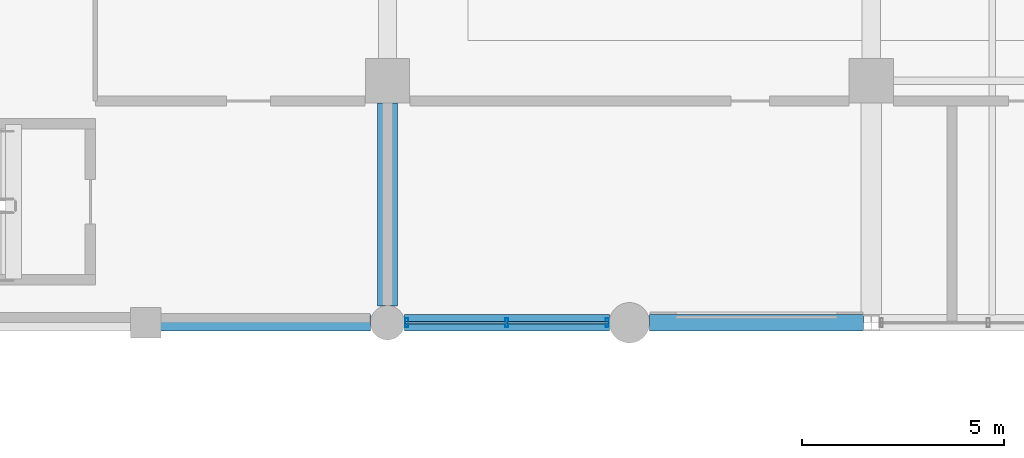
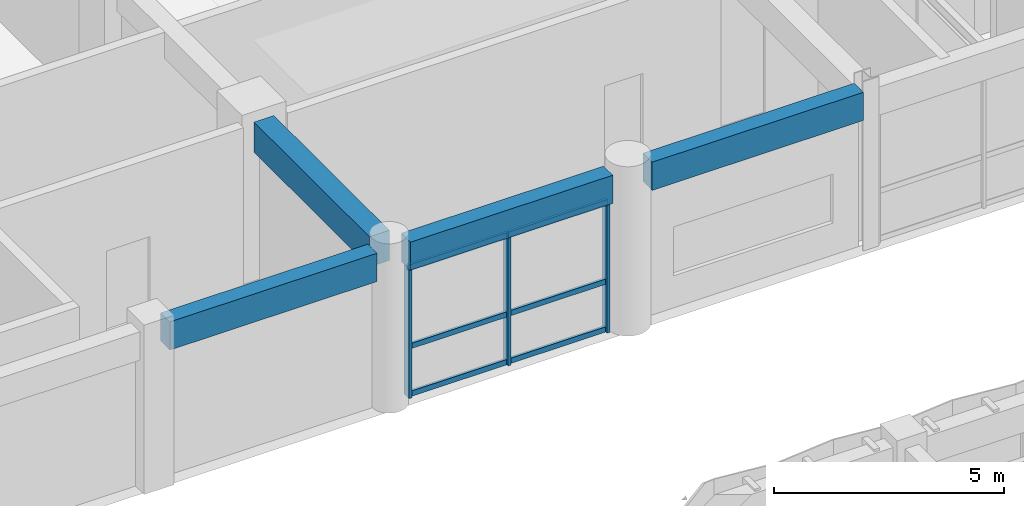
# One storey, part 44 of 133: 9 members, 4 beams, 1 element without a shape of its own.
"""IFC4 building model written with IfcOpenShell, lengths in metres."""

from ifc_helpers import new_model, si_unit, direction, frame, origin, origin_2d, place, context, subcontext, project, spatial, rectangle, hollow_rectangle, extrude, material, material_profile, profile_set, type_object, element, aggregate, save


model = new_model("IFC4")

# Units and contexts
model_context = context("Model", 3, precision=1e-05, world=origin(), true_north=direction((0.0, 1.0)))
body_context = subcontext(model_context, "Body", "Model", "MODEL_VIEW")
ifc_project = project(units=[si_unit("LENGTHUNIT", "METRE"), si_unit("AREAUNIT", "SQUARE_METRE"), si_unit("VOLUMEUNIT", "CUBIC_METRE"), si_unit("PLANEANGLEUNIT", "RADIAN"), si_unit("MASSUNIT", "GRAM", prefix="KILO"), si_unit("THERMODYNAMICTEMPERATUREUNIT", "KELVIN"), si_unit("POWERUNIT", "WATT")], contexts=[model_context])

# Site, building, storey
site_placement = place(None, origin())
site = spatial("IfcSite", under=ifc_project, at=site_placement, CompositionType="ELEMENT")
building_placement = place(site_placement, origin())
building = spatial("IfcBuilding", under=site, at=building_placement, Name="Phaisarnlok Congress Hotel", CompositionType="ELEMENT")
storey_placement = place(building_placement, frame((0.0, 0.0, 6.0)))
storey = spatial("IfcBuildingStorey", under=building, at=storey_placement, Name="L01", CompositionType="ELEMENT", Elevation=6.0)

# Beam
ifc_material_1 = material(Name="Concrete C40/50", Category="concrete")
ifc_material_profile_1 = material_profile(ifc_material_1, rectangle(XDim=0.5, YDim=0.800048828125, at=origin_2d()), Name="RC 500x800")
ifc_profile_set_1 = profile_set([ifc_material_profile_1], Name="Concrete C40/50")
beam_type_1 = type_object("IfcBeamType", Name="BM-RC-500x800", PredefinedType="BEAM", material=ifc_profile_set_1)
beam_1_placement = place(storey_placement, frame((84.0, 108.419921875, 3.820068359375), z_axis=(0.0, 1.0, 0.0), x_axis=(-1.0, 0.0, 0.0)))
element("IfcBeam", 1, at=beam_1_placement, inside=storey, type_object=beam_type_1, Name="Beam B-04", PredefinedType="BEAM", context=body_context, shape_type="SweptSolid", body=[
    extrude(rectangle(XDim=0.5, YDim=0.800048828125, at=origin_2d()), origin(), (0.0, 0.0, 1.0), 5.03515625),
])

# Curtain wall, members
ifc_material_2 = material(Name="Thermally Broken Unitised Aluminium & Low-E Glazing", Category="aluminium")
curtain_wall_type = type_object("IfcCurtainWallType", Name="CW-UNIT-12", PredefinedType="NOTDEFINED", material=ifc_material_2)
curtain_wall_placement = place(storey_placement, origin())
curtain_wall = element("IfcCurtainWall", 2, at=curtain_wall_placement, inside=storey, type_object=curtain_wall_type, Name="Unitised curtain wall CW-12 (L01)", PredefinedType="NOTDEFINED")
ifc_material_3 = material(Name="Anodised Aluminium Alloy 6063-T6", Category="aluminium")
ifc_material_profile_2 = material_profile(ifc_material_3, hollow_rectangle(XDim=0.074951171875, YDim=0.219970703125, WallThickness=0.0048828125, at=origin_2d()), Name="ALU-M 75x220x5")
ifc_profile_set_2 = profile_set([ifc_material_profile_2], Name="Anodised Aluminium Alloy 6063-T6")
member_type_1 = type_object("IfcMemberType", Name="CWM-220", PredefinedType="MULLION", material=ifc_profile_set_2)
member_1_placement = place(storey_placement, frame((84.47509765625, 108.0, 0.0), z_axis=(0.0, 0.0, 1.0), x_axis=(1.0, 0.0, 0.0)))
member_1 = element("IfcMember", 3, at=member_1_placement, type_object=member_type_1, Name="Curtain wall mullion CWM-02", PredefinedType="MULLION", context=body_context, shape_type="SweptSolid", body=[
    extrude(hollow_rectangle(XDim=0.074951171875, YDim=0.219970703125, WallThickness=0.0048828125, at=origin_2d()), origin(), (0.0, 0.0, 1.0), 3.469970703125),
])
member_2_placement = place(storey_placement, frame((86.96240234375, 108.0, 0.0), z_axis=(0.0, 0.0, 1.0), x_axis=(1.0, 0.0, 0.0)))
member_2 = element("IfcMember", 4, at=member_2_placement, type_object=member_type_1, Name="Curtain wall mullion CWM-02", PredefinedType="MULLION", context=body_context, shape_type="SweptSolid", body=[
    extrude(hollow_rectangle(XDim=0.074951171875, YDim=0.219970703125, WallThickness=0.0048828125, at=origin_2d()), origin(), (0.0, 0.0, 1.0), 3.469970703125),
])
member_3_placement = place(storey_placement, frame((89.449951171875, 108.0, 0.0), z_axis=(0.0, 0.0, 1.0), x_axis=(1.0, 0.0, 0.0)))
member_3 = element("IfcMember", 5, at=member_3_placement, type_object=member_type_1, Name="Curtain wall mullion CWM-02", PredefinedType="MULLION", context=body_context, shape_type="SweptSolid", body=[
    extrude(hollow_rectangle(XDim=0.074951171875, YDim=0.219970703125, WallThickness=0.0048828125, at=origin_2d()), origin(), (0.0, 0.0, 1.0), 3.469970703125),
])
ifc_material_profile_3 = material_profile(ifc_material_3, hollow_rectangle(XDim=0.06494140625, YDim=0.139892578125, WallThickness=0.00390625, at=origin_2d()), Name="ALU-T 65x140x4")
ifc_profile_set_3 = profile_set([ifc_material_profile_3], Name="Anodised Aluminium Alloy 6063-T6")
member_type_2 = type_object("IfcMemberType", Name="CWT-150", PredefinedType="USERDEFINED", material=ifc_profile_set_3)
member_4_placement = place(storey_placement, frame((84.449951171875, 108.0, 0.050048828125), z_axis=(1.0, 0.0, 0.0), x_axis=(0.0, 1.0, 0.0)))
member_4 = element("IfcMember", 6, at=member_4_placement, type_object=member_type_2, Name="Curtain wall transom CWT-01", ObjectType="TRANSOM", PredefinedType="USERDEFINED", context=body_context, shape_type="SweptSolid", body=[
    extrude(hollow_rectangle(XDim=0.06494140625, YDim=0.139892578125, WallThickness=0.00390625, at=origin_2d()), origin(), (0.0, 0.0, 1.0), 2.49755859375),
])
member_5_placement = place(storey_placement, frame((84.449951171875, 108.0, 1.318603515625), z_axis=(1.0, 0.0, 0.0), x_axis=(0.0, 1.0, 0.0)))
member_5 = element("IfcMember", 7, at=member_5_placement, type_object=member_type_2, Name="Curtain wall transom CWT-01", ObjectType="TRANSOM", PredefinedType="USERDEFINED", context=body_context, shape_type="SweptSolid", body=[
    extrude(hollow_rectangle(XDim=0.06494140625, YDim=0.139892578125, WallThickness=0.00390625, at=origin_2d()), origin(), (0.0, 0.0, 1.0), 2.49755859375),
])
member_6_placement = place(storey_placement, frame((84.449951171875, 108.0, 3.419921875), z_axis=(1.0, 0.0, 0.0), x_axis=(0.0, 1.0, 0.0)))
member_6 = element("IfcMember", 8, at=member_6_placement, type_object=member_type_2, Name="Curtain wall transom CWT-01", ObjectType="TRANSOM", PredefinedType="USERDEFINED", context=body_context, shape_type="SweptSolid", body=[
    extrude(hollow_rectangle(XDim=0.06494140625, YDim=0.139892578125, WallThickness=0.00390625, at=origin_2d()), origin(), (0.0, 0.0, 1.0), 2.49755859375),
])
member_7_placement = place(storey_placement, frame((86.9775390625, 108.0, 0.050048828125), z_axis=(1.0, 0.0, 0.0), x_axis=(0.0, 1.0, 0.0)))
member_7 = element("IfcMember", 9, at=member_7_placement, type_object=member_type_2, Name="Curtain wall transom CWT-01", ObjectType="TRANSOM", PredefinedType="USERDEFINED", context=body_context, shape_type="SweptSolid", body=[
    extrude(hollow_rectangle(XDim=0.06494140625, YDim=0.139892578125, WallThickness=0.00390625, at=origin_2d()), origin(), (0.0, 0.0, 1.0), 2.49755859375),
])
member_8_placement = place(storey_placement, frame((86.9775390625, 108.0, 1.318603515625), z_axis=(1.0, 0.0, 0.0), x_axis=(0.0, 1.0, 0.0)))
member_8 = element("IfcMember", 10, at=member_8_placement, type_object=member_type_2, Name="Curtain wall transom CWT-01", ObjectType="TRANSOM", PredefinedType="USERDEFINED", context=body_context, shape_type="SweptSolid", body=[
    extrude(hollow_rectangle(XDim=0.06494140625, YDim=0.139892578125, WallThickness=0.00390625, at=origin_2d()), origin(), (0.0, 0.0, 1.0), 2.49755859375),
])
member_9_placement = place(storey_placement, frame((86.9775390625, 108.0, 3.419921875), z_axis=(1.0, 0.0, 0.0), x_axis=(0.0, 1.0, 0.0)))
member_9 = element("IfcMember", 11, at=member_9_placement, type_object=member_type_2, Name="Curtain wall transom CWT-01", ObjectType="TRANSOM", PredefinedType="USERDEFINED", context=body_context, shape_type="SweptSolid", body=[
    extrude(hollow_rectangle(XDim=0.06494140625, YDim=0.139892578125, WallThickness=0.00390625, at=origin_2d()), origin(), (0.0, 0.0, 1.0), 2.49755859375),
])
aggregate(curtain_wall, [member_1, member_2, member_3, member_4, member_5, member_6, member_7, member_8, member_9])

# Beams
ifc_material_profile_4 = material_profile(ifc_material_1, rectangle(XDim=0.39990234375, YDim=0.75, at=origin_2d()), Name="RC 400x750")
ifc_profile_set_4 = profile_set([ifc_material_profile_4], Name="Concrete C40/50")
beam_type_2 = type_object("IfcBeamType", Name="SP-RC-400x750", PredefinedType="SPANDREL", material=ifc_profile_set_4)
beam_2_placement = place(storey_placement, frame((78.3701171875, 108.0, 3.844970703125), z_axis=(1.0, 0.0, 0.0), x_axis=(0.0, 1.0, 0.0)))
element("IfcBeam", 12, at=beam_2_placement, inside=storey, type_object=beam_type_2, Name="Beam SP-02", PredefinedType="SPANDREL", context=body_context, shape_type="SweptSolid", body=[
    extrude(rectangle(XDim=0.39990234375, YDim=0.75, at=origin_2d()), origin(), (0.0, 0.0, 1.0), 5.2099609375),
])
beam_3_placement = place(storey_placement, frame((84.419921875, 108.0, 3.844970703125), z_axis=(1.0, 0.0, 0.0), x_axis=(0.0, 1.0, 0.0)))
element("IfcBeam", 13, at=beam_3_placement, inside=storey, type_object=beam_type_2, Name="Beam SP-02", PredefinedType="SPANDREL", context=body_context, shape_type="SweptSolid", body=[
    extrude(rectangle(XDim=0.39990234375, YDim=0.75, at=origin_2d()), origin(), (0.0, 0.0, 1.0), 5.0849609375),
])
beam_4_placement = place(storey_placement, frame((90.4951171875, 108.0, 3.844970703125), z_axis=(1.0, 0.0, 0.0), x_axis=(0.0, 1.0, 0.0)))
element("IfcBeam", 14, at=beam_4_placement, inside=storey, type_object=beam_type_2, Name="Beam SP-02", PredefinedType="SPANDREL", context=body_context, shape_type="SweptSolid", body=[
    extrude(rectangle(XDim=0.39990234375, YDim=0.75, at=origin_2d()), origin(), (0.0, 0.0, 1.0), 5.309326171875),
])

save(model, "model.ifc")
